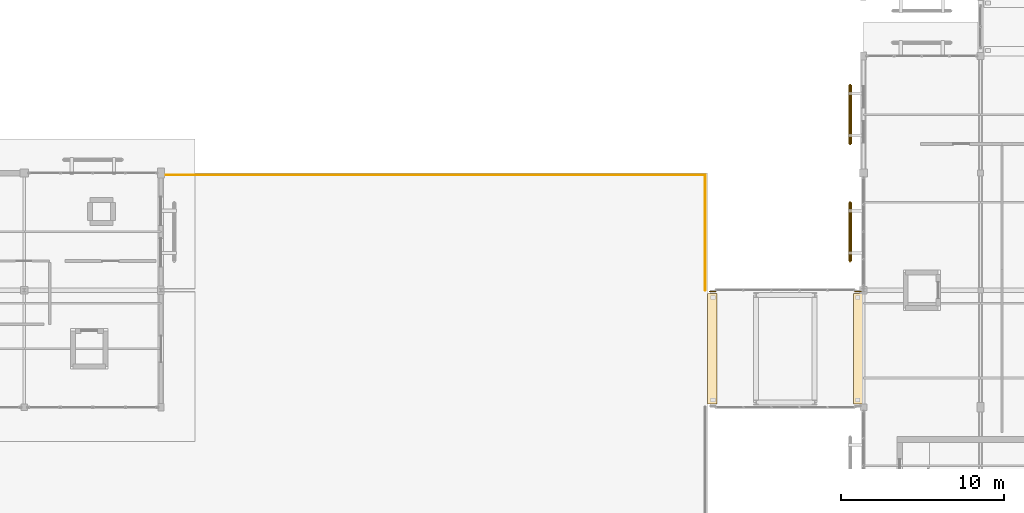
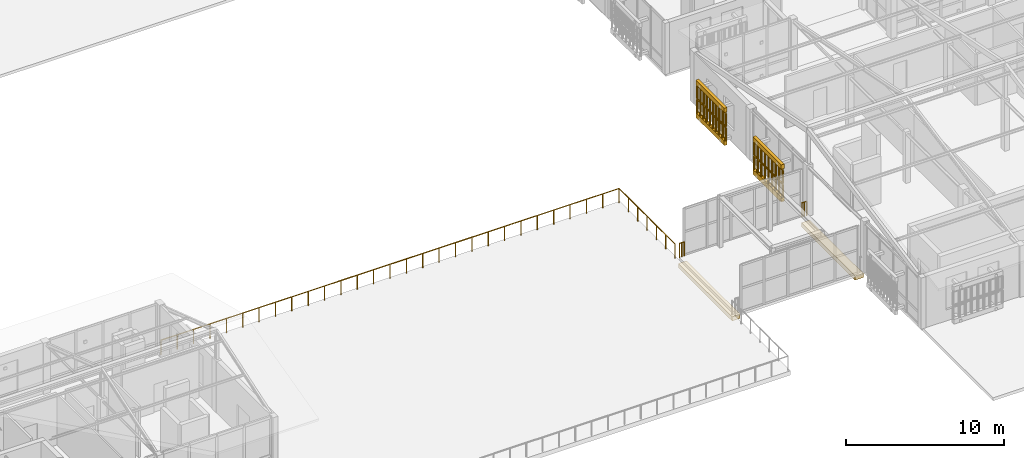
# One storey, part 102 of 112: 8 railings, 6 coverings.
"""IFC4 building model written with IfcOpenShell, lengths in metres."""

import ifcopenshell
import ifcopenshell.guid

model = None  # the IFC model being written
_history = None  # IfcOwnerHistory: only IFC2X3 demands one
_inside = {}  # id of a spatial element -> (the spatial element, [elements in it])
_under = {}  # id of a project, library or spatial element -> (it, [spatial elements below it])
_declared = {}  # id of a project -> (the project, [libraries it declares])
_typed = {}  # id of a type object -> (the type object, [elements of that type])
_made_of = {}  # id of a material, layer set ... -> (it, [elements and type objects made of it])


def new_model(schema):
    """Start an empty IFC model of exactly this schema.

    Asked for "IFC4X3", IfcOpenShell would pick the latest addendum, in which some entities
    have other attributes; the version numbers below select the first issue.
    IFC2X3 requires an IfcOwnerHistory on every rooted entity: one is made here for all.
    """
    global model, _history
    if schema == "IFC4X3":
        model = ifcopenshell.file(schema_version=(4, 3, 0, 0))
    else:
        model = ifcopenshell.file(schema=schema)
    _inside.clear()
    _under.clear()
    _declared.clear()
    _typed.clear()
    _made_of.clear()
    _history = None
    if model.schema == "IFC2X3":
        org = make("IfcOrganization", Name="unknown")
        user = make(
            "IfcPersonAndOrganization",
            ThePerson=make("IfcPerson", FamilyName="unknown"),
            TheOrganization=org,
        )
        app = make(
            "IfcApplication",
            ApplicationDeveloper=org,
            Version="unknown",
            ApplicationFullName="unknown",
            ApplicationIdentifier="unknown",
        )
        _history = make(
            "IfcOwnerHistory",
            OwningUser=user,
            OwningApplication=app,
            ChangeAction="ADDED",
            CreationDate=0,
        )
    return model


def make(cls, **values):
    """One entity of the class cls with the attributes given. An attribute that is None is left unset."""
    return model.create_entity(
        cls, **{name: value for name, value in values.items() if value is not None}
    )


def rooted(cls, **values):
    """An entity with a GlobalId (a new one), such as an element, a storey or a relation."""
    return make(cls, GlobalId=ifcopenshell.guid.new(), OwnerHistory=_history, **values)


def si_unit(unit_type, name, prefix=None):
    """IfcSIUnit, for example si_unit("LENGTHUNIT", "METRE", prefix="MILLI")."""
    return make("IfcSIUnit", UnitType=unit_type, Prefix=prefix, Name=name)


def assignment(units):
    """IfcUnitAssignment: the units of a project."""
    return None if units is None else make("IfcUnitAssignment", Units=units)


def point(xyz):
    """IfcCartesianPoint."""
    return None if xyz is None else make("IfcCartesianPoint", Coordinates=xyz)


def direction(xyz):
    """IfcDirection."""
    return None if xyz is None else make("IfcDirection", DirectionRatios=xyz)


def frame(location, z_axis=None, x_axis=None):
    """IfcAxis2Placement3D, a coordinate frame: its origin and axes. An axis left out is left unset."""
    return make(
        "IfcAxis2Placement3D",
        Location=point(location),
        Axis=direction(z_axis),
        RefDirection=direction(x_axis),
    )


def frame_2d(location, x_axis=None):
    """IfcAxis2Placement2D, a coordinate frame in the plane: its origin and x axis."""
    return make(
        "IfcAxis2Placement2D", Location=point(location), RefDirection=direction(x_axis)
    )


def origin():
    """The frame at (0, 0, 0) with its axes left unset."""
    return frame((0.0, 0.0, 0.0))


def origin_2d():
    """The frame at (0, 0) in the plane with its x axis left unset."""
    return frame_2d((0.0, 0.0))


def place(relative_to, where):
    """IfcLocalPlacement: puts the frame where relative to a parent placement (None: the world)."""
    return make(
        "IfcLocalPlacement", PlacementRelTo=relative_to, RelativePlacement=where
    )


def context(
    kind, dimensions, precision=None, world=None, true_north=None, identifier=None
):
    """IfcGeometricRepresentationContext, for example the 3D "Model" context."""
    return make(
        "IfcGeometricRepresentationContext",
        ContextIdentifier=identifier,
        ContextType=kind,
        CoordinateSpaceDimension=dimensions,
        Precision=precision,
        WorldCoordinateSystem=world,
        TrueNorth=true_north,
    )


def subcontext(parent, identifier, kind, view, scale=None):
    """IfcGeometricRepresentationSubContext, for example "Body" below "Model"."""
    return make(
        "IfcGeometricRepresentationSubContext",
        ContextIdentifier=identifier,
        ContextType=kind,
        ParentContext=parent,
        TargetScale=scale,
        TargetView=view,
    )


def project(units=None, contexts=None):
    """IfcProject with its units and contexts."""
    return rooted(
        "IfcProject",
        Name="project",
        RepresentationContexts=contexts,
        UnitsInContext=assignment(units),
    )


def spatial(cls, under=None, at=None, **own):
    """A site, building, storey or space (cls), placed at a placement, below another one or the project."""
    s = rooted(cls, ObjectPlacement=at, **own)
    if under is not None:
        _under.setdefault(under.id(), (under, []))[1].append(s)
    return s


def polyline(points):
    """IfcPolyline through the points."""
    return make("IfcPolyline", Points=[point(p) for p in points])


def profile(cls, at=None, kind="AREA", **sizes):
    """A parametric profile (cls). Its sizes go by their IFC names, for example OverallWidth=200.0."""
    return make(cls, ProfileType=kind, Position=at, **sizes)


def circle(**sizes):
    """IfcCircleProfileDef."""
    return profile("IfcCircleProfileDef", **sizes)


def outline(outer, holes=None, kind="AREA"):
    """IfcArbitraryClosedProfileDef: a profile drawn as a closed curve; with holes, ...WithVoids."""
    if holes is None:
        return make("IfcArbitraryClosedProfileDef", ProfileType=kind, OuterCurve=outer)
    return make(
        "IfcArbitraryProfileDefWithVoids",
        ProfileType=kind,
        OuterCurve=outer,
        InnerCurves=holes,
    )


def extrude(swept, where, along, depth):
    """IfcExtrudedAreaSolid: the profile swept, set in the frame where, extruded along a direction by depth."""
    return make(
        "IfcExtrudedAreaSolid",
        SweptArea=swept,
        Position=where,
        ExtrudedDirection=direction(along),
        Depth=depth,
    )


def shape(context_of_items, identifier, shape_type, items):
    """IfcShapeRepresentation: the items that make up one representation, for example the "Body"."""
    return make(
        "IfcShapeRepresentation",
        ContextOfItems=context_of_items,
        RepresentationIdentifier=identifier,
        RepresentationType=shape_type,
        Items=items,
    )


def material(Name=None, Category=None):
    """IfcMaterial."""
    return make("IfcMaterial", Name=Name, Category=Category)


def layer(
    of_material, thickness, ventilated=None, Name=None, Category=None, Priority=None
):
    """IfcMaterialLayer: one layer of a wall or slab, of a material (None: an air gap)."""
    return make(
        "IfcMaterialLayer",
        Material=of_material,
        LayerThickness=thickness,
        IsVentilated=ventilated,
        Name=Name,
        Category=Category,
        Priority=Priority,
    )


def layer_set(layers, Name=None):
    """IfcMaterialLayerSet."""
    return make("IfcMaterialLayerSet", MaterialLayers=layers, LayerSetName=Name)


def made_of(thing, what):
    """Note that an element or type object is made of a material, layer set ...; save() writes the relation."""
    if what is not None:
        _made_of.setdefault(what.id(), (what, []))[1].append(thing)
    return thing


def type_object(cls, material=None, **own):
    """A type object (cls), such as IfcWallType, which elements share."""
    return made_of(rooted(cls, **own), material)


def element(
    cls,
    number,
    at=None,
    inside=None,
    cuts=None,
    type_object=None,
    material=None,
    context=None,
    identifier="Body",
    shape_type=None,
    held_by="IfcProductDefinitionShape",
    body=None,
    shapes=None,
    **own,
):
    """One element of the class cls, such as IfcWall. Its Tag is "e" and its number.

    at: its placement. inside: the storey or other place that contains it. cuts: it is an
    opening in that element (IfcRelVoidsElement). A single representation is given by context,
    identifier, shape_type and body (its items); several are given by shapes. held_by: the class
    of the entity that holds the representations. save() writes the other relations.
    """
    e = rooted(cls, Tag="e%d" % number, ObjectPlacement=at, **own)
    if body is not None:
        shapes = [shape(context, identifier, shape_type, body)]
    if shapes is not None:
        e.Representation = make(held_by, Representations=shapes)
    if inside is not None:
        _inside.setdefault(inside.id(), (inside, []))[1].append(e)
    if cuts is not None:
        rooted(
            "IfcRelVoidsElement", RelatingBuildingElement=cuts, RelatedOpeningElement=e
        )
    if type_object is not None:
        _typed.setdefault(type_object.id(), (type_object, []))[1].append(e)
    return made_of(e, material)


def aggregate(whole, parts):
    """IfcRelAggregates: a whole, such as a stair, and the parts it consists of."""
    return rooted("IfcRelAggregates", RelatingObject=whole, RelatedObjects=parts)


def save(model, path):
    """Write the relations noted so far, then the file.

    IfcRelAggregates (storeys below a building ...), IfcRelContainedInSpatialStructure (elements
    in a storey), IfcRelDefinesByType, IfcRelAssociatesMaterial and IfcRelDeclares: one each for
    every whole, place, type object, material and project.
    """
    for whole, parts in _under.values():
        aggregate(whole, parts)
    for where, things in _inside.values():
        rooted(
            "IfcRelContainedInSpatialStructure",
            RelatedElements=things,
            RelatingStructure=where,
        )
    for kind, things in _typed.values():
        rooted("IfcRelDefinesByType", RelatedObjects=things, RelatingType=kind)
    for what, things in _made_of.values():
        rooted("IfcRelAssociatesMaterial", RelatedObjects=things, RelatingMaterial=what)
    for by, libraries in _declared.values():
        rooted("IfcRelDeclares", RelatingContext=by, RelatedDefinitions=libraries)
    model.write(path)


model = new_model("IFC4")

# Units and contexts
model_context = context("Model", 3, precision=1e-05, world=origin(), true_north=direction((0.0, 1.0)))
body_context = subcontext(model_context, "Body", "Model", "MODEL_VIEW")
ifc_project = project(units=[si_unit("LENGTHUNIT", "METRE"), si_unit("AREAUNIT", "SQUARE_METRE"), si_unit("VOLUMEUNIT", "CUBIC_METRE"), si_unit("PLANEANGLEUNIT", "RADIAN"), si_unit("MASSUNIT", "GRAM", prefix="KILO")], contexts=[model_context])

# Site, building, storey
site_placement = place(None, origin())
site = spatial("IfcSite", under=ifc_project, at=site_placement, CompositionType="ELEMENT")
building_placement = place(site_placement, origin())
building = spatial("IfcBuilding", under=site, at=building_placement, Name="Mazaris Harbour Polytechnic", CompositionType="ELEMENT")
storey_placement = place(building_placement, frame((0.0, 0.0, 13.800048828125)))
storey = spatial("IfcBuildingStorey", under=building, at=storey_placement, Name="L03", CompositionType="ELEMENT", Elevation=13.800048828125)

# Coverings
ifc_material_1 = material(Name="Concrete C40/50", Category="concrete")
ifc_layer_1 = layer(ifc_material_1, 0.320068359375, Name="Concrete C40/50")
ifc_layer_set_1 = layer_set([ifc_layer_1], Name="Concrete C40/50")
covering_type_1 = type_object("IfcCoveringType", Name="Bridge Bearing Corbel 600 Exterior", PredefinedType="CLADDING", material=ifc_layer_set_1)
covering_1_placement = place(storey_placement, frame((0.0, 0.0, -0.650146484375)))
element("IfcCovering", 1, at=covering_1_placement, inside=storey, type_object=covering_type_1, Name="PB-E1 L03 600mm Bridge Bearing Seat Corbel W", PredefinedType="CLADDING", context=body_context, shape_type="SweptSolid", body=[
    extrude(outline(polyline([(112.800048828125, 21.800048828125), (113.39990234375, 21.800048828125), (113.39990234375, 28.60009765625), (112.800048828125, 28.60009765625), (112.800048828125, 21.800048828125)])), origin(), (0.0, 0.0, 1.0), 0.320068359375),
])
covering_2_placement = place(storey_placement, frame((0.0, 0.0, -0.650146484375)))
element("IfcCovering", 2, at=covering_2_placement, inside=storey, type_object=covering_type_1, Name="PB-E1 L03 600mm Bridge Bearing Seat Corbel E", PredefinedType="CLADDING", context=body_context, shape_type="SweptSolid", body=[
    extrude(outline(polyline([(121.800048828125, 21.800048828125), (122.39990234375, 21.800048828125), (122.39990234375, 28.60009765625), (121.800048828125, 28.60009765625), (121.800048828125, 21.800048828125)])), origin(), (0.0, 0.0, 1.0), 0.320068359375),
])

# Railings
ifc_material_2 = material(Name="Algerian Buff Limestone", Category="masonry")
railing_type_1 = type_object("IfcRailingType", Name="Limestone Roof Garden Balustrade 1100", PredefinedType="BALUSTRADE", material=ifc_material_2)
railing_1_placement = place(storey_placement, frame((112.679931640625, 28.800048828125, 0.0)))
element("IfcRailing", 3, at=railing_1_placement, inside=storey, type_object=railing_type_1, Name="Railing BAL-V3-E2", PredefinedType="BALUSTRADE", context=body_context, shape_type="SweptSolid", body=[
    extrude(circle(Radius=0.02392578125, at=origin_2d()), frame((0.0, 0.0, 1.09619140625), z_axis=(0.0, 1.0, 0.0), x_axis=(-1.0, 0.0, 0.0)), (0.0, 0.0, 1.0), 7.079833984375),
    extrude(circle(Radius=0.02099609375, at=origin_2d()), origin(), (0.0, 0.0, 1.0), 1.072021484375),
    extrude(circle(Radius=0.02099609375, at=origin_2d()), frame((0.0, 1.179931640625, 0.0)), (0.0, 0.0, 1.0), 1.072021484375),
    extrude(circle(Radius=0.02099609375, at=origin_2d()), frame((0.0, 2.35986328125, 0.0)), (0.0, 0.0, 1.0), 1.072021484375),
    extrude(circle(Radius=0.02099609375, at=origin_2d()), frame((0.0, 3.5400390625, 0.0)), (0.0, 0.0, 1.0), 1.072021484375),
    extrude(circle(Radius=0.02099609375, at=origin_2d()), frame((0.0, 4.719970703125, 0.0)), (0.0, 0.0, 1.0), 1.072021484375),
    extrude(circle(Radius=0.02099609375, at=origin_2d()), frame((0.0, 5.89990234375, 0.0)), (0.0, 0.0, 1.0), 1.072021484375),
    extrude(circle(Radius=0.02099609375, at=origin_2d()), frame((0.0, 7.079833984375, 0.0)), (0.0, 0.0, 1.0), 1.072021484375),
])
railing_2_placement = place(storey_placement, frame((112.679931640625, 35.8798828125, 0.0)))
element("IfcRailing", 4, at=railing_2_placement, inside=storey, type_object=railing_type_1, Name="Railing BAL-V3-N", PredefinedType="BALUSTRADE", context=body_context, shape_type="SweptSolid", body=[
    extrude(circle(Radius=0.02392578125, at=origin_2d()), frame((0.0, 0.0, 1.09619140625), z_axis=(-1.0, 0.0, 0.0), x_axis=(0.0, -1.0, 0.0)), (0.0, 0.0, 1.0), 33.47998046875),
    extrude(circle(Radius=0.02099609375, at=origin_2d()), origin(), (0.0, 0.0, 1.0), 1.072021484375),
    extrude(circle(Radius=0.02099609375, at=origin_2d()), frame((-1.19580078125, 0.0, 0.0)), (0.0, 0.0, 1.0), 1.072021484375),
    extrude(circle(Radius=0.02099609375, at=origin_2d()), frame((-2.391357421875, 0.0, 0.0)), (0.0, 0.0, 1.0), 1.072021484375),
    extrude(circle(Radius=0.02099609375, at=origin_2d()), frame((-3.587158203125, 0.0, 0.0)), (0.0, 0.0, 1.0), 1.072021484375),
    extrude(circle(Radius=0.02099609375, at=origin_2d()), frame((-4.782958984375, 0.0, 0.0)), (0.0, 0.0, 1.0), 1.072021484375),
    extrude(circle(Radius=0.02099609375, at=origin_2d()), frame((-5.978515625, 0.0, 0.0)), (0.0, 0.0, 1.0), 1.072021484375),
    extrude(circle(Radius=0.02099609375, at=origin_2d()), frame((-7.17431640625, 0.0, 0.0)), (0.0, 0.0, 1.0), 1.072021484375),
    extrude(circle(Radius=0.02099609375, at=origin_2d()), frame((-8.3701171875, 0.0, 0.0)), (0.0, 0.0, 1.0), 1.072021484375),
    extrude(circle(Radius=0.02099609375, at=origin_2d()), frame((-9.565673828125, 0.0, 0.0)), (0.0, 0.0, 1.0), 1.072021484375),
    extrude(circle(Radius=0.02099609375, at=origin_2d()), frame((-10.761474609375, 0.0, 0.0)), (0.0, 0.0, 1.0), 1.072021484375),
    extrude(circle(Radius=0.02099609375, at=origin_2d()), frame((-11.95703125, 0.0, 0.0)), (0.0, 0.0, 1.0), 1.072021484375),
    extrude(circle(Radius=0.02099609375, at=origin_2d()), frame((-13.15283203125, 0.0, 0.0)), (0.0, 0.0, 1.0), 1.072021484375),
    extrude(circle(Radius=0.02099609375, at=origin_2d()), frame((-14.3486328125, 0.0, 0.0)), (0.0, 0.0, 1.0), 1.072021484375),
    extrude(circle(Radius=0.02099609375, at=origin_2d()), frame((-15.544189453125, 0.0, 0.0)), (0.0, 0.0, 1.0), 1.072021484375),
    extrude(circle(Radius=0.02099609375, at=origin_2d()), frame((-16.739990234375, 0.0, 0.0)), (0.0, 0.0, 1.0), 1.072021484375),
    extrude(circle(Radius=0.02099609375, at=origin_2d()), frame((-17.935791015625, 0.0, 0.0)), (0.0, 0.0, 1.0), 1.072021484375),
    extrude(circle(Radius=0.02099609375, at=origin_2d()), frame((-19.13134765625, 0.0, 0.0)), (0.0, 0.0, 1.0), 1.072021484375),
    extrude(circle(Radius=0.02099609375, at=origin_2d()), frame((-20.3271484375, 0.0, 0.0)), (0.0, 0.0, 1.0), 1.072021484375),
    extrude(circle(Radius=0.02099609375, at=origin_2d()), frame((-21.52294921875, 0.0, 0.0)), (0.0, 0.0, 1.0), 1.072021484375),
    extrude(circle(Radius=0.02099609375, at=origin_2d()), frame((-22.718505859375, 0.0, 0.0)), (0.0, 0.0, 1.0), 1.072021484375),
    extrude(circle(Radius=0.02099609375, at=origin_2d()), frame((-23.914306640625, 0.0, 0.0)), (0.0, 0.0, 1.0), 1.072021484375),
    extrude(circle(Radius=0.02099609375, at=origin_2d()), frame((-25.10986328125, 0.0, 0.0)), (0.0, 0.0, 1.0), 1.072021484375),
    extrude(circle(Radius=0.02099609375, at=origin_2d()), frame((-26.3056640625, 0.0, 0.0)), (0.0, 0.0, 1.0), 1.072021484375),
    extrude(circle(Radius=0.02099609375, at=origin_2d()), frame((-27.50146484375, 0.0, 0.0)), (0.0, 0.0, 1.0), 1.072021484375),
    extrude(circle(Radius=0.02099609375, at=origin_2d()), frame((-28.697021484375, 0.0, 0.0)), (0.0, 0.0, 1.0), 1.072021484375),
    extrude(circle(Radius=0.02099609375, at=origin_2d()), frame((-29.892822265625, 0.0, 0.0)), (0.0, 0.0, 1.0), 1.072021484375),
    extrude(circle(Radius=0.02099609375, at=origin_2d()), frame((-31.088623046875, 0.0, 0.0)), (0.0, 0.0, 1.0), 1.072021484375),
    extrude(circle(Radius=0.02099609375, at=origin_2d()), frame((-32.2841796875, 0.0, 0.0)), (0.0, 0.0, 1.0), 1.072021484375),
    extrude(circle(Radius=0.02099609375, at=origin_2d()), frame((-33.47998046875, 0.0, 0.0)), (0.0, 0.0, 1.0), 1.072021484375),
])
ifc_material_3 = material(Name="Steel S355", Category="steel")
railing_type_2 = type_object("IfcRailingType", Name="Mezzanine Steel Guardrail 1100 Exterior", PredefinedType="GUARDRAIL", material=ifc_material_3)
for number, where, name in (
    (5, (112.949951171875, 28.719970703125, 0.0), "PB-E1 L03 Bridge End Guard W1"),
    (6, (121.89990234375, 28.719970703125, 0.0), "PB-E1 L03 Bridge End Guard E1"),
):
    element("IfcRailing", number, at=place(storey_placement, frame(where)), inside=storey, type_object=railing_type_2, Name=name, PredefinedType="GUARDRAIL", context=body_context, shape_type="SweptSolid", body=[
        extrude(circle(Radius=0.02392578125, at=origin_2d()), frame((0.0, 0.0, 1.09619140625), z_axis=(1.0, 0.0, 0.0), x_axis=(0.0, 1.0, 0.0)), (0.0, 0.0, 1.0), 0.35009765625),
        extrude(circle(Radius=0.02099609375, at=origin_2d()), origin(), (0.0, 0.0, 1.0), 1.072021484375),
        extrude(circle(Radius=0.02099609375, at=origin_2d()), frame((0.175048828125, 0.0, 0.0)), (0.0, 0.0, 1.0), 1.072021484375),
        extrude(circle(Radius=0.02099609375, at=origin_2d()), frame((0.35009765625, 0.0, 0.0)), (0.0, 0.0, 1.0), 1.072021484375),
    ])
ifc_material_4 = material(Name="Perforated Earth-Coloured Terracotta Block", Category="masonry")
railing_type_3 = type_object("IfcRailingType", Name="Perforated Earth-Block Claustra Lattice 1040", PredefinedType="BALUSTRADE", material=ifc_material_4)
for number, where, name in (
    (7, (121.580078125, 30.590087890625, 0.52001953125), "V2 L03 Lower Perforated Terracotta Block Screen 101"),
    (8, (121.580078125, 30.590087890625, 1.60986328125), "V2 L03 Upper Perforated Terracotta Block Screen 101"),
):
    element("IfcRailing", number, at=place(storey_placement, frame(where)), inside=storey, type_object=railing_type_3, Name=name, PredefinedType="BALUSTRADE", context=body_context, shape_type="SweptSolid", body=[
        extrude(circle(Radius=0.06982421875, at=origin_2d()), frame((0.0, 0.0, 1.02001953125), z_axis=(0.0, 1.0, 0.0), x_axis=(-1.0, 0.0, 0.0)), (0.0, 0.0, 1.0), 3.599853515625),
        extrude(circle(Radius=0.074951171875, at=origin_2d()), origin(), (0.0, 0.0, 1.0), 0.9501953125),
        extrude(circle(Radius=0.074951171875, at=origin_2d()), frame((0.0, 0.449951171875, 0.0)), (0.0, 0.0, 1.0), 0.9501953125),
        extrude(circle(Radius=0.074951171875, at=origin_2d()), frame((0.0, 0.89990234375, 0.0)), (0.0, 0.0, 1.0), 0.9501953125),
        extrude(circle(Radius=0.074951171875, at=origin_2d()), frame((0.0, 1.349853515625, 0.0)), (0.0, 0.0, 1.0), 0.9501953125),
        extrude(circle(Radius=0.074951171875, at=origin_2d()), frame((0.0, 1.7998046875, 0.0)), (0.0, 0.0, 1.0), 0.9501953125),
        extrude(circle(Radius=0.074951171875, at=origin_2d()), frame((0.0, 2.25, 0.0)), (0.0, 0.0, 1.0), 0.9501953125),
        extrude(circle(Radius=0.074951171875, at=origin_2d()), frame((0.0, 2.699951171875, 0.0)), (0.0, 0.0, 1.0), 0.9501953125),
        extrude(circle(Radius=0.074951171875, at=origin_2d()), frame((0.0, 3.14990234375, 0.0)), (0.0, 0.0, 1.0), 0.9501953125),
        extrude(circle(Radius=0.074951171875, at=origin_2d()), frame((0.0, 3.599853515625, 0.0)), (0.0, 0.0, 1.0), 0.9501953125),
    ])
for number, where, name in (
    (9, (121.580078125, 37.804931640625, 0.52001953125), "V2 L03 Lower Perforated Terracotta Block Screen 102"),
    (10, (121.580078125, 37.804931640625, 1.60986328125), "V2 L03 Upper Perforated Terracotta Block Screen 102"),
):
    element("IfcRailing", number, at=place(storey_placement, frame(where)), inside=storey, type_object=railing_type_3, Name=name, PredefinedType="BALUSTRADE", context=body_context, shape_type="SweptSolid", body=[
        extrude(circle(Radius=0.06982421875, at=origin_2d()), frame((0.0, 0.0, 1.02001953125), z_axis=(0.0, 1.0, 0.0), x_axis=(-1.0, 0.0, 0.0)), (0.0, 0.0, 1.0), 3.60009765625),
        extrude(circle(Radius=0.074951171875, at=origin_2d()), origin(), (0.0, 0.0, 1.0), 0.9501953125),
        extrude(circle(Radius=0.074951171875, at=origin_2d()), frame((0.0, 0.39990234375, 0.0)), (0.0, 0.0, 1.0), 0.9501953125),
        extrude(circle(Radius=0.074951171875, at=origin_2d()), frame((0.0, 0.800048828125, 0.0)), (0.0, 0.0, 1.0), 0.9501953125),
        extrude(circle(Radius=0.074951171875, at=origin_2d()), frame((0.0, 1.199951171875, 0.0)), (0.0, 0.0, 1.0), 0.9501953125),
        extrude(circle(Radius=0.074951171875, at=origin_2d()), frame((0.0, 1.60009765625, 0.0)), (0.0, 0.0, 1.0), 0.9501953125),
        extrude(circle(Radius=0.074951171875, at=origin_2d()), frame((0.0, 2.0, 0.0)), (0.0, 0.0, 1.0), 0.9501953125),
        extrude(circle(Radius=0.074951171875, at=origin_2d()), frame((0.0, 2.400146484375, 0.0)), (0.0, 0.0, 1.0), 0.9501953125),
        extrude(circle(Radius=0.074951171875, at=origin_2d()), frame((0.0, 2.800048828125, 0.0)), (0.0, 0.0, 1.0), 0.9501953125),
        extrude(circle(Radius=0.074951171875, at=origin_2d()), frame((0.0, 3.2001953125, 0.0)), (0.0, 0.0, 1.0), 0.9501953125),
        extrude(circle(Radius=0.074951171875, at=origin_2d()), frame((0.0, 3.60009765625, 0.0)), (0.0, 0.0, 1.0), 0.9501953125),
    ])

# Coverings
ifc_material_5 = material(Name="Perforated Earth-Coloured Terracotta Block", Category="masonry")
ifc_layer_2 = layer(ifc_material_5, 0.219970703125, Name="Perforated Earth-Coloured Terracotta Block")
ifc_layer_set_2 = layer_set([ifc_layer_2], Name="Perforated Earth-Coloured Terracotta Block")
covering_type_2 = type_object("IfcCoveringType", Name="Terracotta Screen Course Cladding 220", PredefinedType="CLADDING", material=ifc_layer_set_2)
covering_3_placement = place(storey_placement, frame((0.0, 0.0, 0.159912109375)))
element("IfcCovering", 11, at=covering_3_placement, inside=storey, type_object=covering_type_2, Name="V2 L03 Perforated Screen Sill Course 101", PredefinedType="CLADDING", context=body_context, shape_type="SweptSolid", body=[
    extrude(outline(polyline([(121.68994140625, 30.590087890625), (121.68994140625, 34.18994140625), (121.469970703125, 34.18994140625), (121.469970703125, 30.590087890625), (121.68994140625, 30.590087890625)])), origin(), (0.0, 0.0, 1.0), 0.360107421875),
])
covering_4_placement = place(storey_placement, frame((0.0, 0.0, 2.699951171875)))
element("IfcCovering", 12, at=covering_4_placement, inside=storey, type_object=covering_type_2, Name="V2 L03 Perforated Screen Lintel Course 101", PredefinedType="CLADDING", context=body_context, shape_type="SweptSolid", body=[
    extrude(outline(polyline([(121.68994140625, 30.590087890625), (121.68994140625, 34.18994140625), (121.469970703125, 34.18994140625), (121.469970703125, 30.590087890625), (121.68994140625, 30.590087890625)])), origin(), (0.0, 0.0, 1.0), 0.340087890625),
])
covering_5_placement = place(storey_placement, frame((0.0, 0.0, 0.159912109375)))
element("IfcCovering", 13, at=covering_5_placement, inside=storey, type_object=covering_type_2, Name="V2 L03 Perforated Screen Sill Course 102", PredefinedType="CLADDING", context=body_context, shape_type="SweptSolid", body=[
    extrude(outline(polyline([(121.68994140625, 37.804931640625), (121.68994140625, 41.405029296875), (121.469970703125, 41.405029296875), (121.469970703125, 37.804931640625), (121.68994140625, 37.804931640625)])), origin(), (0.0, 0.0, 1.0), 0.360107421875),
])
covering_6_placement = place(storey_placement, frame((0.0, 0.0, 2.699951171875)))
element("IfcCovering", 14, at=covering_6_placement, inside=storey, type_object=covering_type_2, Name="V2 L03 Perforated Screen Lintel Course 102", PredefinedType="CLADDING", context=body_context, shape_type="SweptSolid", body=[
    extrude(outline(polyline([(121.68994140625, 37.804931640625), (121.68994140625, 41.405029296875), (121.469970703125, 41.405029296875), (121.469970703125, 37.804931640625), (121.68994140625, 37.804931640625)])), origin(), (0.0, 0.0, 1.0), 0.340087890625),
])

save(model, "model.ifc")
